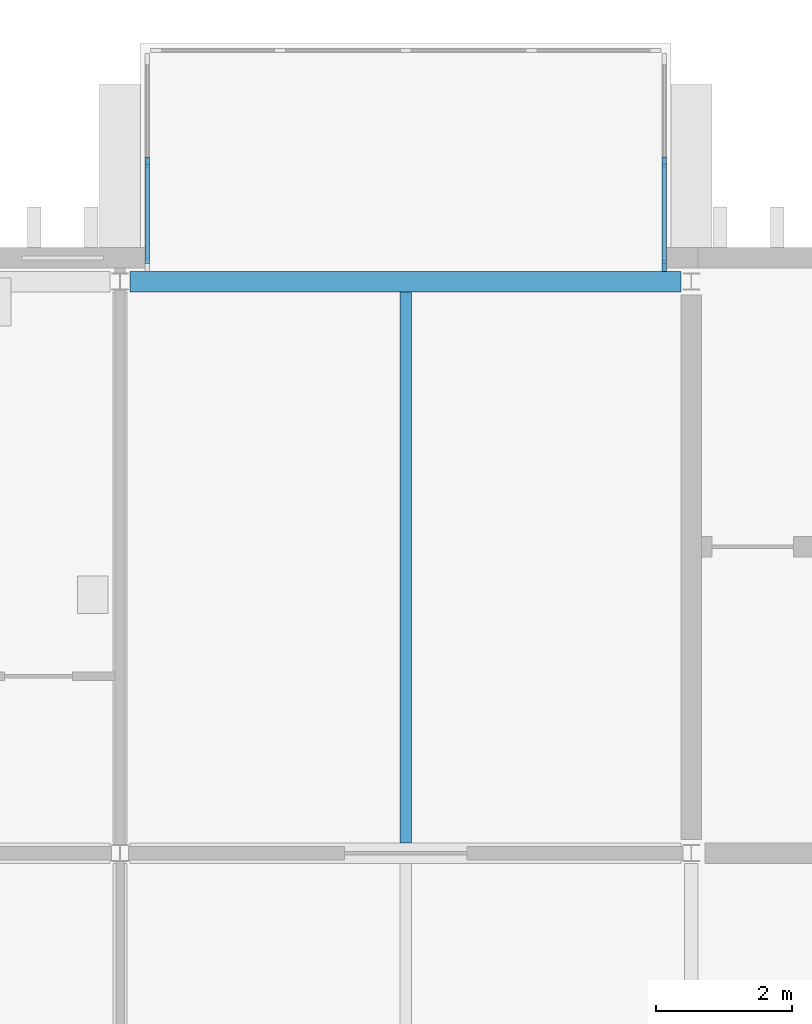
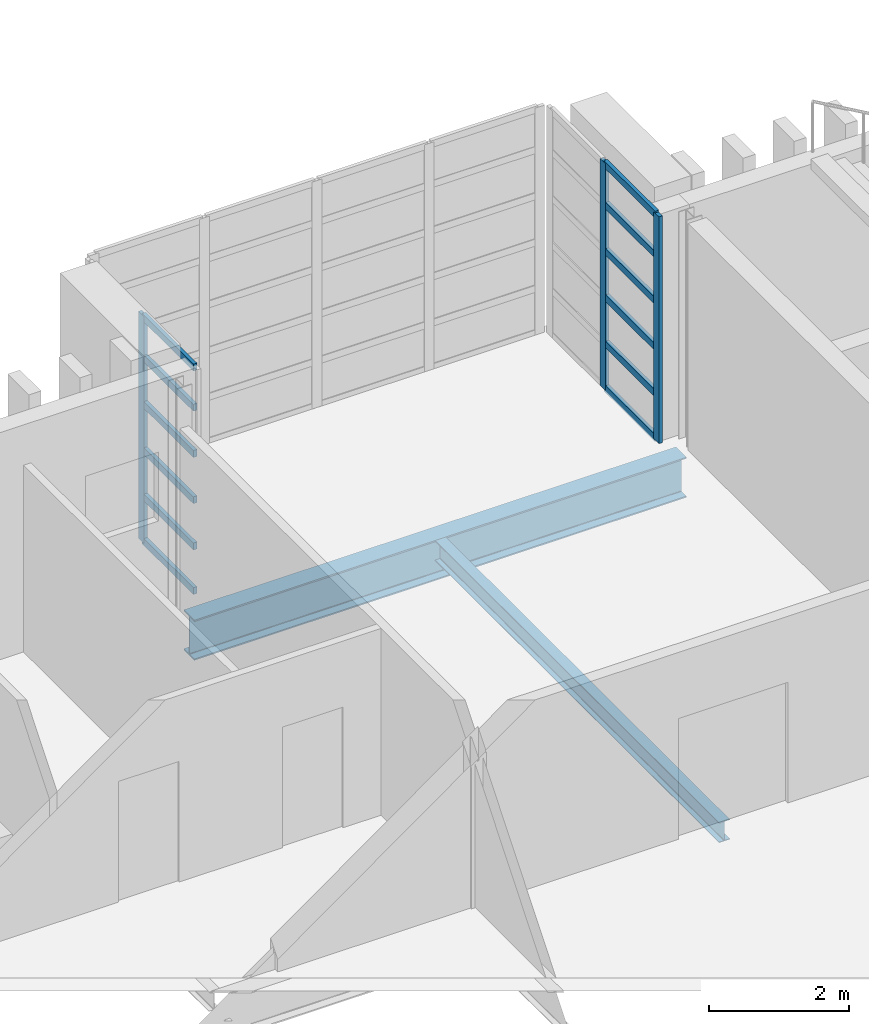
# One storey, part 31 of 88: 15 members, 2 beams, 2 elements without a shape of their own.
"""IFC4 building model written with IfcOpenShell, lengths in metres."""

from ifc_helpers import new_model, si_unit, direction, frame, origin, origin_2d, place, context, subcontext, project, spatial, rectangle, i_section, extrude, material, layer, layer_set, material_profile, profile_set, type_object, element, aggregate, save


model = new_model("IFC4")

# Units and contexts
model_context = context("Model", 3, precision=1e-05, world=origin(), true_north=direction((0.0, 1.0)))
body_context = subcontext(model_context, "Body", "Model", "MODEL_VIEW")
ifc_project = project(units=[si_unit("LENGTHUNIT", "METRE"), si_unit("AREAUNIT", "SQUARE_METRE"), si_unit("VOLUMEUNIT", "CUBIC_METRE"), si_unit("PLANEANGLEUNIT", "RADIAN"), si_unit("MASSUNIT", "GRAM", prefix="KILO")], contexts=[model_context])

# Site, building, storey
site_placement = place(None, origin())
site = spatial("IfcSite", under=ifc_project, at=site_placement, CompositionType="ELEMENT")
building_placement = place(site_placement, origin())
building = spatial("IfcBuilding", under=site, at=building_placement, Name="Cresset Court Congress Hotel", CompositionType="ELEMENT")
storey_placement = place(building_placement, frame((0.0, 0.0, 14.39990234375)))
storey = spatial("IfcBuildingStorey", under=building, at=storey_placement, Name="L03", CompositionType="ELEMENT", Elevation=14.39990234375)

# Curtain wall, member
ifc_material_1 = material(Name="Aluminium frame with double glazing", Category="aluminium")
ifc_layer = layer(ifc_material_1, 0.199951171875)
ifc_layer_set = layer_set([ifc_layer], Name="Glazed box curtain wall 1680 module")
curtain_wall_type = type_object("IfcCurtainWallType", Name="Glazed box curtain wall 1680 module", PredefinedType="NOTDEFINED", material=ifc_layer_set)
curtain_wall_1_placement = place(storey_placement, origin())
curtain_wall_1 = element("IfcCurtainWall", 1, at=curtain_wall_1_placement, inside=storey, type_object=curtain_wall_type, Name="Glazed box N0333 side", PredefinedType="NOTDEFINED")
ifc_material_2 = material(Name="Aluminium", Category="aluminium")
ifc_material_profile_1 = material_profile(ifc_material_2, rectangle(XDim=0.06005859375, YDim=0.159912109375, at=origin_2d()), Name="Box mullion 60x160")
ifc_profile_set_1 = profile_set([ifc_material_profile_1], Name="Aluminium")
member_type_1 = type_object("IfcMemberType", Name="Box mullion 60x160", PredefinedType="MULLION", material=ifc_profile_set_1)
member_1_placement = place(storey_placement, frame((126.39990234375, 26.949951171875, 0.0), z_axis=(0.0, 0.0, 1.0), x_axis=(-1.0, 0.0, 0.0)))
member_1 = element("IfcMember", 2, at=member_1_placement, type_object=member_type_1, Name="B-X1 mullion 2", PredefinedType="MULLION", context=body_context, shape_type="SweptSolid", body=[
    extrude(rectangle(XDim=0.06005859375, YDim=0.159912109375, at=origin_2d()), origin(), (0.0, 0.0, 1.0), 3.9501953125),
])

# Curtain wall, members
curtain_wall_2_placement = place(storey_placement, origin())
curtain_wall_2 = element("IfcCurtainWall", 3, at=curtain_wall_2_placement, inside=storey, type_object=curtain_wall_type, Name="Glazed box N0333 side", PredefinedType="NOTDEFINED")
member_2_placement = place(storey_placement, frame((134.0, 25.429931640625, 0.0), z_axis=(0.0, 0.0, 1.0), x_axis=(-1.0, 0.0, 0.0)))
member_2 = element("IfcMember", 4, at=member_2_placement, type_object=member_type_1, Name="B-X1 mullion 1", PredefinedType="MULLION", context=body_context, shape_type="SweptSolid", body=[
    extrude(rectangle(XDim=0.06005859375, YDim=0.159912109375, at=origin_2d()), origin(), (0.0, 0.0, 1.0), 3.9501953125),
])
member_3_placement = place(storey_placement, frame((134.0, 26.949951171875, 0.0), z_axis=(0.0, 0.0, 1.0), x_axis=(-1.0, 0.0, 0.0)))
member_3 = element("IfcMember", 5, at=member_3_placement, type_object=member_type_1, Name="B-X1 mullion 2", PredefinedType="MULLION", context=body_context, shape_type="SweptSolid", body=[
    extrude(rectangle(XDim=0.06005859375, YDim=0.159912109375, at=origin_2d()), origin(), (0.0, 0.0, 1.0), 3.9501953125),
])

# Member
ifc_material_3 = material(Name="Aluminium", Category="aluminium")
ifc_material_profile_2 = material_profile(ifc_material_3, rectangle(XDim=0.06005859375, YDim=0.1201171875, at=origin_2d()), Name="Box transom 60x120")
ifc_profile_set_2 = profile_set([ifc_material_profile_2], Name="Aluminium")
member_type_2 = type_object("IfcMemberType", Name="Box transom 60x120", PredefinedType="USERDEFINED", material=ifc_profile_set_2)
member_4_placement = place(storey_placement, frame((126.39990234375, 25.4599609375, 0.030029296875), z_axis=(0.0, 1.0, 0.0), x_axis=(-1.0, 0.0, 0.0)))
member_4 = element("IfcMember", 6, at=member_4_placement, type_object=member_type_2, Name="B-X1 transom 1.1", ObjectType="TRANSOM", PredefinedType="USERDEFINED", context=body_context, shape_type="SweptSolid", body=[
    extrude(rectangle(XDim=0.06005859375, YDim=0.1201171875, at=origin_2d()), origin(), (0.0, 0.0, 1.0), 1.4599609375),
])

member_5_placement = place(storey_placement, frame((126.39990234375, 25.4599609375, 0.80517578125), z_axis=(0.0, 1.0, 0.0), x_axis=(-1.0, 0.0, 0.0)))
member_5 = element("IfcMember", 7, at=member_5_placement, type_object=member_type_2, Name="B-X1 transom 1.2", ObjectType="TRANSOM", PredefinedType="USERDEFINED", context=body_context, shape_type="SweptSolid", body=[
    extrude(rectangle(XDim=0.06005859375, YDim=0.1201171875, at=origin_2d()), origin(), (0.0, 0.0, 1.0), 1.4599609375),
])

member_6_placement = place(storey_placement, frame((126.39990234375, 25.4599609375, 1.610107421875), z_axis=(0.0, 1.0, 0.0), x_axis=(-1.0, 0.0, 0.0)))
member_6 = element("IfcMember", 8, at=member_6_placement, type_object=member_type_2, Name="B-X1 transom 1.3", ObjectType="TRANSOM", PredefinedType="USERDEFINED", context=body_context, shape_type="SweptSolid", body=[
    extrude(rectangle(XDim=0.06005859375, YDim=0.1201171875, at=origin_2d()), origin(), (0.0, 0.0, 1.0), 1.4599609375),
])

member_7_placement = place(storey_placement, frame((126.39990234375, 25.4599609375, 2.4150390625), z_axis=(0.0, 1.0, 0.0), x_axis=(-1.0, 0.0, 0.0)))
member_7 = element("IfcMember", 9, at=member_7_placement, type_object=member_type_2, Name="B-X1 transom 1.4", ObjectType="TRANSOM", PredefinedType="USERDEFINED", context=body_context, shape_type="SweptSolid", body=[
    extrude(rectangle(XDim=0.06005859375, YDim=0.1201171875, at=origin_2d()), origin(), (0.0, 0.0, 1.0), 1.4599609375),
])

member_8_placement = place(storey_placement, frame((126.39990234375, 25.4599609375, 3.22021484375), z_axis=(0.0, 1.0, 0.0), x_axis=(-1.0, 0.0, 0.0)))
member_8 = element("IfcMember", 10, at=member_8_placement, type_object=member_type_2, Name="B-X1 transom 1.5", ObjectType="TRANSOM", PredefinedType="USERDEFINED", context=body_context, shape_type="SweptSolid", body=[
    extrude(rectangle(XDim=0.06005859375, YDim=0.1201171875, at=origin_2d()), origin(), (0.0, 0.0, 1.0), 1.4599609375),
])

member_9_placement = place(storey_placement, frame((126.39990234375, 25.4599609375, 3.920166015625), z_axis=(0.0, 1.0, 0.0), x_axis=(-1.0, 0.0, 0.0)))
member_9 = element("IfcMember", 11, at=member_9_placement, type_object=member_type_2, Name="B-X1 transom 1.6", ObjectType="TRANSOM", PredefinedType="USERDEFINED", context=body_context, shape_type="SweptSolid", body=[
    extrude(rectangle(XDim=0.06005859375, YDim=0.1201171875, at=origin_2d()), origin(), (0.0, 0.0, 1.0), 1.4599609375),
])

aggregate(curtain_wall_1, [member_1, member_4, member_5, member_6, member_7, member_8, member_9])

member_10_placement = place(storey_placement, frame((134.0, 25.4599609375, 0.030029296875), z_axis=(0.0, 1.0, 0.0), x_axis=(-1.0, 0.0, 0.0)))
member_10 = element("IfcMember", 12, at=member_10_placement, type_object=member_type_2, Name="B-X1 transom 1.1", ObjectType="TRANSOM", PredefinedType="USERDEFINED", context=body_context, shape_type="SweptSolid", body=[
    extrude(rectangle(XDim=0.06005859375, YDim=0.1201171875, at=origin_2d()), origin(), (0.0, 0.0, 1.0), 1.4599609375),
])

member_11_placement = place(storey_placement, frame((134.0, 25.4599609375, 0.80517578125), z_axis=(0.0, 1.0, 0.0), x_axis=(-1.0, 0.0, 0.0)))
member_11 = element("IfcMember", 13, at=member_11_placement, type_object=member_type_2, Name="B-X1 transom 1.2", ObjectType="TRANSOM", PredefinedType="USERDEFINED", context=body_context, shape_type="SweptSolid", body=[
    extrude(rectangle(XDim=0.06005859375, YDim=0.1201171875, at=origin_2d()), origin(), (0.0, 0.0, 1.0), 1.4599609375),
])

member_12_placement = place(storey_placement, frame((134.0, 25.4599609375, 1.610107421875), z_axis=(0.0, 1.0, 0.0), x_axis=(-1.0, 0.0, 0.0)))
member_12 = element("IfcMember", 14, at=member_12_placement, type_object=member_type_2, Name="B-X1 transom 1.3", ObjectType="TRANSOM", PredefinedType="USERDEFINED", context=body_context, shape_type="SweptSolid", body=[
    extrude(rectangle(XDim=0.06005859375, YDim=0.1201171875, at=origin_2d()), origin(), (0.0, 0.0, 1.0), 1.4599609375),
])

member_13_placement = place(storey_placement, frame((134.0, 25.4599609375, 2.4150390625), z_axis=(0.0, 1.0, 0.0), x_axis=(-1.0, 0.0, 0.0)))
member_13 = element("IfcMember", 15, at=member_13_placement, type_object=member_type_2, Name="B-X1 transom 1.4", ObjectType="TRANSOM", PredefinedType="USERDEFINED", context=body_context, shape_type="SweptSolid", body=[
    extrude(rectangle(XDim=0.06005859375, YDim=0.1201171875, at=origin_2d()), origin(), (0.0, 0.0, 1.0), 1.4599609375),
])

member_14_placement = place(storey_placement, frame((134.0, 25.4599609375, 3.22021484375), z_axis=(0.0, 1.0, 0.0), x_axis=(-1.0, 0.0, 0.0)))
member_14 = element("IfcMember", 16, at=member_14_placement, type_object=member_type_2, Name="B-X1 transom 1.5", ObjectType="TRANSOM", PredefinedType="USERDEFINED", context=body_context, shape_type="SweptSolid", body=[
    extrude(rectangle(XDim=0.06005859375, YDim=0.1201171875, at=origin_2d()), origin(), (0.0, 0.0, 1.0), 1.4599609375),
])

member_15_placement = place(storey_placement, frame((134.0, 25.4599609375, 3.920166015625), z_axis=(0.0, 1.0, 0.0), x_axis=(-1.0, 0.0, 0.0)))
member_15 = element("IfcMember", 17, at=member_15_placement, type_object=member_type_2, Name="B-X1 transom 1.6", ObjectType="TRANSOM", PredefinedType="USERDEFINED", context=body_context, shape_type="SweptSolid", body=[
    extrude(rectangle(XDim=0.06005859375, YDim=0.1201171875, at=origin_2d()), origin(), (0.0, 0.0, 1.0), 1.4599609375),
])

aggregate(curtain_wall_2, [member_2, member_3, member_10, member_11, member_12, member_13, member_14, member_15])

# Beams
ifc_material_4 = material(Name="Structural steel Q355B", Category="steel")
ifc_material_profile_3 = material_profile(ifc_material_4, i_section(OverallWidth=0.300048828125, OverallDepth=0.699951171875, WebThickness=0.012939453125, FlangeThickness=0.02392578125, FilletRadius=0.01806640625, at=origin_2d()), Name="HN700x300x13x24")
ifc_profile_set_3 = profile_set([ifc_material_profile_3], Name="Structural steel Q355B")
beam_type_1 = type_object("IfcBeamType", Name="Steel beam HN700x300x13x24", PredefinedType="BEAM", material=ifc_profile_set_3)
beam_1_placement = place(storey_placement, frame((126.14990234375, 25.199951171875, -0.5), z_axis=(1.0, 0.0, 0.0), x_axis=(0.0, 1.0, 0.0)))
element("IfcBeam", 18, at=beam_1_placement, inside=storey, type_object=beam_type_1, Name="B.bx.L03.D16", PredefinedType="BEAM", context=body_context, shape_type="SweptSolid", body=[
    extrude(i_section(OverallWidth=0.300048828125, OverallDepth=0.699951171875, WebThickness=0.012939453125, FlangeThickness=0.02392578125, FilletRadius=0.01806640625, at=origin_2d()), origin(), (0.0, 0.0, 1.0), 8.10009765625),
])
ifc_material_5 = material(Name="Structural steel Q355B", Category="steel")
ifc_material_profile_4 = material_profile(ifc_material_5, i_section(OverallWidth=0.175048828125, OverallDepth=0.35009765625, WebThickness=0.007080078125, FlangeThickness=0.010986328125, FilletRadius=0.012939453125, at=origin_2d()), Name="HN350x175x7x11")
ifc_profile_set_4 = profile_set([ifc_material_profile_4], Name="Structural steel Q355B")
beam_type_2 = type_object("IfcBeamType", Name="Steel joist HN350x175x7x11", PredefinedType="JOIST", material=ifc_profile_set_4)
beam_2_placement = place(storey_placement, frame((130.199951171875, 16.949951171875, -0.324951171875), z_axis=(0.0, 1.0, 0.0), x_axis=(-1.0, 0.0, 0.0)))
element("IfcBeam", 19, at=beam_2_placement, inside=storey, type_object=beam_type_2, Name="B.bj.L03.16C", PredefinedType="JOIST", context=body_context, shape_type="SweptSolid", body=[
    extrude(i_section(OverallWidth=0.175048828125, OverallDepth=0.35009765625, WebThickness=0.007080078125, FlangeThickness=0.010986328125, FilletRadius=0.012939453125, at=origin_2d()), origin(), (0.0, 0.0, 1.0), 8.10009765625),
])

save(model, "model.ifc")
